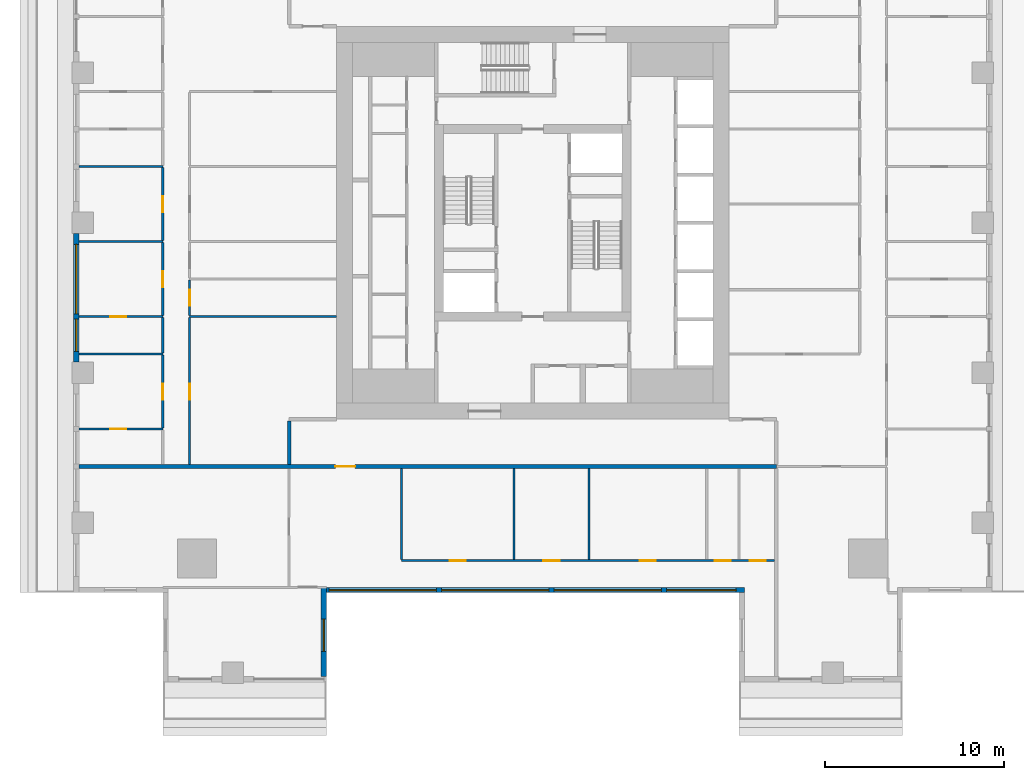
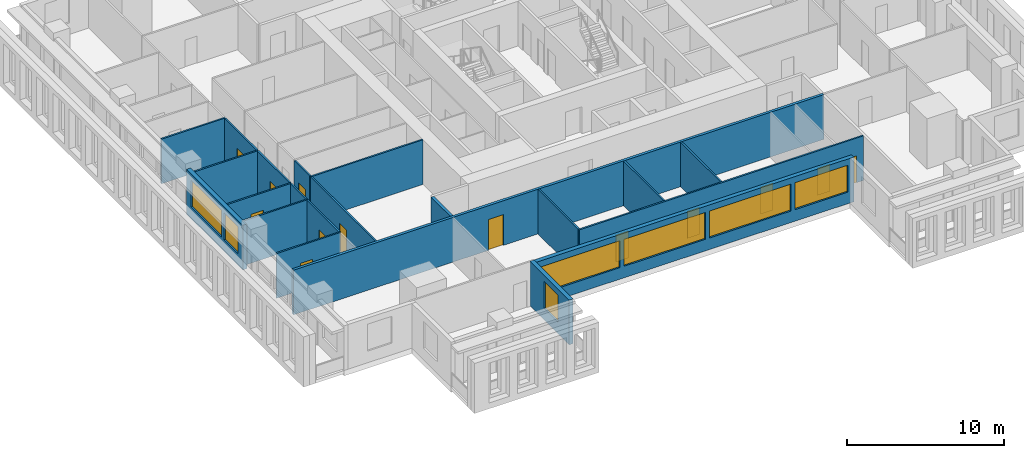
# One storey, part 2 of 14: 21 walls, 13 doors, 7 windows, 20 openings.
"""IFC4 building model written with IfcOpenShell, lengths in metres."""

from ifc_helpers import new_model, si_unit, direction, frame, frame_2d, origin, place, context, subcontext, project, spatial, rectangle, extrude, material, layer, layer_set, type_object, element, fill, save


model = new_model("IFC4")

# Units and contexts
model_context = context("Model", 3, precision=1e-05, world=origin(), true_north=direction((0.0, 1.0)))
body_context = subcontext(model_context, "Body", "Model", "MODEL_VIEW")
ifc_project = project(units=[si_unit("LENGTHUNIT", "METRE"), si_unit("AREAUNIT", "SQUARE_METRE"), si_unit("VOLUMEUNIT", "CUBIC_METRE"), si_unit("PLANEANGLEUNIT", "RADIAN"), si_unit("MASSUNIT", "GRAM", prefix="KILO")], contexts=[model_context])

# Site, building, storey
site_placement = place(None, origin())
site = spatial("IfcSite", under=ifc_project, at=site_placement, CompositionType="ELEMENT")
building_placement = place(site_placement, origin())
building = spatial("IfcBuilding", under=site, at=building_placement, Name="Khepri Terraces", CompositionType="ELEMENT")
storey_placement = place(building_placement, frame((0.0, 0.0, 275.699951171875)))
storey = spatial("IfcBuildingStorey", under=building, at=storey_placement, Name="L66", CompositionType="ELEMENT", Elevation=275.699951171875)

# Wall, opening, door
ifc_material_1 = material(Name="Fire-rated gypsum plasterboard partition, mineral wool")
ifc_layer_1 = layer(ifc_material_1, 0.199951171875, Name="Fire-rated gypsum plasterboard partition, mineral wool")
ifc_layer_set_1 = layer_set([ifc_layer_1], Name="Fire-rated gypsum plasterboard partition, mineral wool")
wall_type_1 = type_object("IfcWallType", Name="WL-CORR-200", PredefinedType="PARTITIONING", material=ifc_layer_set_1)
wall_1_placement = place(storey_placement, frame((-25.419921875, -13.64990234375, 0.0), z_axis=(0.0, 0.0, 1.0), x_axis=(1.0, 0.0, 0.0)))
wall_1 = element("IfcWall", 1, at=wall_1_placement, inside=storey, type_object=wall_type_1, Name="Partition P-015 L66", PredefinedType="PARTITIONING", context=body_context, shape_type="SweptSolid", body=[
    extrude(rectangle(XDim=39.06982421875, YDim=0.199951171875, at=frame_2d((19.534912109375, 0.0))), origin(), (0.0, 0.0, 1.0), 3.47998046875),
])
opening_1_placement = place(wall_1_placement, frame((14.3701171875, 0.0, 0.0)))
opening_1 = element("IfcOpeningElement", 2, at=opening_1_placement, cuts=wall_1, Name="Opening D1", PredefinedType="OPENING", context=body_context, shape_type="SweptSolid", body=[
    extrude(rectangle(XDim=1.10009765625, YDim=2.39990234375, at=frame_2d((0.550048828125, 1.199951171875))), frame((0.0, 0.10986328125, 0.0), z_axis=(0.0, -1.0, 0.0), x_axis=(1.0, 0.0, 0.0)), (0.0, 0.0, 1.0), 0.219970703125),
])
ifc_material_2 = material(Name="Solid-core timber door leaf, flat entrance door", Category="wood")
door_type_1 = type_object("IfcDoorType", Name="DR-ENT-1100", OperationType="NOTDEFINED", PredefinedType="DOOR", material=ifc_material_2)
door_1_placement = place(opening_1_placement, frame((1.10009765625, 0.0, 0.0), z_axis=(0.0, 0.0, 1.0), x_axis=(-1.0, 0.0, 0.0)))
door_1 = element("IfcDoor", 3, at=door_1_placement, inside=storey, type_object=door_type_1, Name="Flat A1 entrance door", OperationType="SINGLE_SWING_RIGHT", OverallHeight=2.39990234375, OverallWidth=1.10009765625, PredefinedType="DOOR", context=body_context, shape_type="SweptSolid", body=[
    extrude(rectangle(XDim=1.10009765625, YDim=2.39990234375, at=frame_2d((0.550048828125, 1.199951171875))), frame((0.0, 0.02490234375, 0.0), z_axis=(0.0, -1.0, 0.0), x_axis=(1.0, 0.0, 0.0)), (0.0, 0.0, 1.0), 0.050048828125),
])
fill(opening_1, door_1)

# Wall
wall_2_placement = place(storey_placement, frame((-13.64990234375, -13.550048828125, 0.0), z_axis=(0.0, 0.0, 1.0), x_axis=(0.0, 1.0, 0.0)))
element("IfcWall", 4, at=wall_2_placement, inside=storey, type_object=wall_type_1, Name="Partition P-020 L66", PredefinedType="PARTITIONING", context=body_context, shape_type="SweptSolid", body=[
    extrude(rectangle(XDim=2.449951171875, YDim=0.199951171875, at=frame_2d((1.22509765625, 0.0))), origin(), (0.0, 0.0, 1.0), 3.47998046875),
])

# Wall, openings, windows
ifc_material_3 = material(Name="Precast concrete C50/60 warm stone", Category="masonry")
ifc_layer_2 = layer(ifc_material_3, 0.300048828125, Name="Precast concrete C50/60 warm stone", Category="masonry")
ifc_layer_set_2 = layer_set([ifc_layer_2], Name="Precast concrete C50/60 warm stone")
wall_type_2 = type_object("IfcWallType", Name="WL-EXT-PRECAST-300", PredefinedType="STANDARD", material=ifc_layer_set_2)
wall_3_placement = place(storey_placement, frame((-25.570068359375, -0.60009765625, 0.0), z_axis=(0.0, 0.0, 1.0), x_axis=(0.0, -1.0, 0.0)))
wall_3 = element("IfcWall", 5, at=wall_3_placement, inside=storey, type_object=wall_type_2, Name="External wall L66 W", PredefinedType="STANDARD", context=body_context, shape_type="SweptSolid", body=[
    extrude(rectangle(XDim=7.199951171875, YDim=0.300048828125, at=frame_2d((3.60009765625, 0.0))), origin(), (0.0, 0.0, 1.0), 3.47998046875),
])
opening_2_placement = place(wall_3_placement, frame((0.60009765625, 0.0, 0.89990234375)))
opening_2 = element("IfcOpeningElement", 6, at=opening_2_placement, cuts=wall_3, Name="Opening W2", PredefinedType="OPENING", context=body_context, shape_type="SweptSolid", body=[
    extrude(rectangle(XDim=3.89990234375, YDim=2.10009765625, at=frame_2d((1.949951171875, 1.050048828125))), frame((0.0, 0.16015625, 0.0), z_axis=(0.0, -1.0, 0.0), x_axis=(1.0, 0.0, 0.0)), (0.0, 0.0, 1.0), 0.320068359375),
])
opening_3_placement = place(wall_3_placement, frame((4.800048828125, 0.0, 0.89990234375)))
opening_3 = element("IfcOpeningElement", 7, at=opening_3_placement, cuts=wall_3, Name="Opening W1", PredefinedType="OPENING", context=body_context, shape_type="SweptSolid", body=[
    extrude(rectangle(XDim=1.800048828125, YDim=2.10009765625, at=frame_2d((0.89990234375, 1.050048828125))), frame((0.0, 0.16015625, 0.0), z_axis=(0.0, -1.0, 0.0), x_axis=(1.0, 0.0, 0.0)), (0.0, 0.0, 1.0), 0.320068359375),
])
ifc_material_4 = material(Name="Clear glass", Category="glass")
window_type_1 = type_object("IfcWindowType", Name="WIN-RES-1800x2100", PartitioningType="SINGLE_PANEL", PredefinedType="WINDOW", material=ifc_material_4)
window_1_placement = place(opening_3_placement, origin())
window_1 = element("IfcWindow", 8, at=window_1_placement, inside=storey, type_object=window_type_1, Name="Window L66 W", OverallHeight=2.10009765625, OverallWidth=1.800048828125, PartitioningType="SINGLE_PANEL", PredefinedType="WINDOW", context=body_context, shape_type="SweptSolid", body=[
    extrude(rectangle(XDim=1.800048828125, YDim=2.10009765625, at=frame_2d((0.89990234375, 1.050048828125))), frame((0.0, 0.030029296875, 0.0), z_axis=(0.0, -1.0, 0.0), x_axis=(1.0, 0.0, 0.0)), (0.0, 0.0, 1.0), 0.06005859375),
])
fill(opening_3, window_1)
window_type_2 = type_object("IfcWindowType", Name="WIN-RES-3900x2100", PartitioningType="SINGLE_PANEL", PredefinedType="WINDOW", material=ifc_material_4)
window_2_placement = place(opening_2_placement, origin())
window_2 = element("IfcWindow", 9, at=window_2_placement, inside=storey, type_object=window_type_2, Name="Window L66 W", OverallHeight=2.10009765625, OverallWidth=3.89990234375, PartitioningType="SINGLE_PANEL", PredefinedType="WINDOW", context=body_context, shape_type="SweptSolid", body=[
    extrude(rectangle(XDim=3.89990234375, YDim=2.10009765625, at=frame_2d((1.949951171875, 1.050048828125))), frame((0.0, 0.030029296875, 0.0), z_axis=(0.0, -1.0, 0.0), x_axis=(1.0, 0.0, 0.0)), (0.0, 0.0, 1.0), 0.06005859375),
])
fill(opening_2, window_2)

# Wall, opening, window
wall_4_placement = place(storey_placement, frame((-11.699951171875, -25.419921875, 0.0), z_axis=(0.0, 0.0, 1.0), x_axis=(0.0, 1.0, 0.0)))
wall_4 = element("IfcWall", 10, at=wall_4_placement, inside=storey, type_object=wall_type_2, Name="External wall L66 E", PredefinedType="STANDARD", context=body_context, shape_type="SweptSolid", body=[
    extrude(rectangle(XDim=5.0, YDim=0.300048828125, at=frame_2d((2.5, 0.0))), origin(), (0.0, 0.0, 1.0), 3.47998046875),
])
opening_4_placement = place(wall_4_placement, frame((1.419921875, 0.0, 0.89990234375)))
opening_4 = element("IfcOpeningElement", 11, at=opening_4_placement, cuts=wall_4, Name="Opening W1", PredefinedType="OPENING", context=body_context, shape_type="SweptSolid", body=[
    extrude(rectangle(XDim=1.800048828125, YDim=2.10009765625, at=frame_2d((0.89990234375, 1.050048828125))), frame((0.0, 0.16015625, 0.0), z_axis=(0.0, -1.0, 0.0), x_axis=(1.0, 0.0, 0.0)), (0.0, 0.0, 1.0), 0.320068359375),
])
window_3_placement = place(opening_4_placement, origin())
window_3 = element("IfcWindow", 12, at=window_3_placement, inside=storey, type_object=window_type_1, Name="Window L66 E", OverallHeight=2.10009765625, OverallWidth=1.800048828125, PartitioningType="SINGLE_PANEL", PredefinedType="WINDOW", context=body_context, shape_type="SweptSolid", body=[
    extrude(rectangle(XDim=1.800048828125, YDim=2.10009765625, at=frame_2d((0.89990234375, 1.050048828125))), frame((0.0, 0.030029296875, 0.0), z_axis=(0.0, -1.0, 0.0), x_axis=(1.0, 0.0, 0.0)), (0.0, 0.0, 1.0), 0.06005859375),
])
fill(opening_4, window_3)

# Wall, openings, windows
wall_5_placement = place(storey_placement, frame((-11.550048828125, -20.570068359375, 0.0), z_axis=(0.0, 0.0, 1.0), x_axis=(1.0, 0.0, 0.0)))
wall_5 = element("IfcWall", 13, at=wall_5_placement, inside=storey, type_object=wall_type_2, Name="External wall L66 S", PredefinedType="STANDARD", context=body_context, shape_type="SweptSolid", body=[
    extrude(rectangle(XDim=23.400146484375, YDim=0.300048828125, at=frame_2d((11.7001953125, 0.0))), origin(), (0.0, 0.0, 1.0), 3.47998046875),
])
opening_5_placement = place(wall_5_placement, frame((0.14990234375, 0.0, 0.89990234375)))
opening_5 = element("IfcOpeningElement", 14, at=opening_5_placement, cuts=wall_5, Name="Opening W3", PredefinedType="OPENING", context=body_context, shape_type="SweptSolid", body=[
    extrude(rectangle(XDim=6.0, YDim=2.10009765625, at=frame_2d((3.0, 1.050048828125))), frame((0.0, 0.16015625, 0.0), z_axis=(0.0, -1.0, 0.0), x_axis=(1.0, 0.0, 0.0)), (0.0, 0.0, 1.0), 0.320068359375),
])
opening_6_placement = place(wall_5_placement, frame((6.449951171875, 0.0, 0.89990234375)))
opening_6 = element("IfcOpeningElement", 15, at=opening_6_placement, cuts=wall_5, Name="Opening W3", PredefinedType="OPENING", context=body_context, shape_type="SweptSolid", body=[
    extrude(rectangle(XDim=6.0, YDim=2.10009765625, at=frame_2d((3.0, 1.050048828125))), frame((0.0, 0.16015625, 0.0), z_axis=(0.0, -1.0, 0.0), x_axis=(1.0, 0.0, 0.0)), (0.0, 0.0, 1.0), 0.320068359375),
])
opening_7_placement = place(wall_5_placement, frame((12.75, 0.0, 0.89990234375)))
opening_7 = element("IfcOpeningElement", 16, at=opening_7_placement, cuts=wall_5, Name="Opening W3", PredefinedType="OPENING", context=body_context, shape_type="SweptSolid", body=[
    extrude(rectangle(XDim=6.0, YDim=2.10009765625, at=frame_2d((3.0, 1.050048828125))), frame((0.0, 0.16015625, 0.0), z_axis=(0.0, -1.0, 0.0), x_axis=(1.0, 0.0, 0.0)), (0.0, 0.0, 1.0), 0.320068359375),
])
opening_8_placement = place(wall_5_placement, frame((19.050048828125, 0.0, 0.89990234375)))
opening_8 = element("IfcOpeningElement", 17, at=opening_8_placement, cuts=wall_5, Name="Opening W2", PredefinedType="OPENING", context=body_context, shape_type="SweptSolid", body=[
    extrude(rectangle(XDim=3.89990234375, YDim=2.10009765625, at=frame_2d((1.949951171875, 1.050048828125))), frame((0.0, 0.16015625, 0.0), z_axis=(0.0, -1.0, 0.0), x_axis=(1.0, 0.0, 0.0)), (0.0, 0.0, 1.0), 0.320068359375),
])
window_4_placement = place(opening_8_placement, origin())
window_4 = element("IfcWindow", 18, at=window_4_placement, inside=storey, type_object=window_type_2, Name="Window L66 S", OverallHeight=2.10009765625, OverallWidth=3.89990234375, PartitioningType="SINGLE_PANEL", PredefinedType="WINDOW", context=body_context, shape_type="SweptSolid", body=[
    extrude(rectangle(XDim=3.89990234375, YDim=2.10009765625, at=frame_2d((1.949951171875, 1.050048828125))), frame((0.0, 0.030029296875, 0.0), z_axis=(0.0, -1.0, 0.0), x_axis=(1.0, 0.0, 0.0)), (0.0, 0.0, 1.0), 0.06005859375),
])
fill(opening_8, window_4)
window_type_3 = type_object("IfcWindowType", Name="WIN-RES-6000x2100", PartitioningType="SINGLE_PANEL", PredefinedType="WINDOW", material=ifc_material_4)
window_5_placement = place(opening_5_placement, origin())
window_5 = element("IfcWindow", 19, at=window_5_placement, inside=storey, type_object=window_type_3, Name="Window L66 S", OverallHeight=2.10009765625, OverallWidth=6.0, PartitioningType="SINGLE_PANEL", PredefinedType="WINDOW", context=body_context, shape_type="SweptSolid", body=[
    extrude(rectangle(XDim=6.0, YDim=2.10009765625, at=frame_2d((3.0, 1.050048828125))), frame((0.0, 0.030029296875, 0.0), z_axis=(0.0, -1.0, 0.0), x_axis=(1.0, 0.0, 0.0)), (0.0, 0.0, 1.0), 0.06005859375),
])
fill(opening_5, window_5)
window_6_placement = place(opening_6_placement, origin())
window_6 = element("IfcWindow", 20, at=window_6_placement, inside=storey, type_object=window_type_3, Name="Window L66 S", OverallHeight=2.10009765625, OverallWidth=6.0, PartitioningType="SINGLE_PANEL", PredefinedType="WINDOW", context=body_context, shape_type="SweptSolid", body=[
    extrude(rectangle(XDim=6.0, YDim=2.10009765625, at=frame_2d((3.0, 1.050048828125))), frame((0.0, 0.030029296875, 0.0), z_axis=(0.0, -1.0, 0.0), x_axis=(1.0, 0.0, 0.0)), (0.0, 0.0, 1.0), 0.06005859375),
])
fill(opening_6, window_6)
window_7_placement = place(opening_7_placement, origin())
window_7 = element("IfcWindow", 21, at=window_7_placement, inside=storey, type_object=window_type_3, Name="Window L66 S", OverallHeight=2.10009765625, OverallWidth=6.0, PartitioningType="SINGLE_PANEL", PredefinedType="WINDOW", context=body_context, shape_type="SweptSolid", body=[
    extrude(rectangle(XDim=6.0, YDim=2.10009765625, at=frame_2d((3.0, 1.050048828125))), frame((0.0, 0.030029296875, 0.0), z_axis=(0.0, -1.0, 0.0), x_axis=(1.0, 0.0, 0.0)), (0.0, 0.0, 1.0), 0.06005859375),
])
fill(opening_7, window_7)

# Wall, openings, doors
ifc_material_5 = material(Name="Gypsum plasterboard partition")
ifc_layer_3 = layer(ifc_material_5, 0.1201171875, Name="Gypsum plasterboard partition")
ifc_layer_set_3 = layer_set([ifc_layer_3], Name="Gypsum plasterboard partition")
wall_type_3 = type_object("IfcWallType", Name="WL-PART-120", PredefinedType="PARTITIONING", material=ifc_layer_set_3)
wall_6_placement = place(storey_placement, frame((-7.35009765625, -18.919921875, 0.0), z_axis=(0.0, 0.0, 1.0), x_axis=(1.0, 0.0, 0.0)))
wall_6 = element("IfcWall", 22, at=wall_6_placement, inside=storey, type_object=wall_type_3, Name="Partition P-008 L66", PredefinedType="PARTITIONING", context=body_context, shape_type="SweptSolid", body=[
    extrude(rectangle(XDim=20.900146484375, YDim=0.1201171875, at=frame_2d((10.4501953125, 0.0))), origin(), (0.0, 0.0, 1.0), 3.47998046875),
])
opening_9_placement = place(wall_6_placement, frame((2.699951171875, 0.0, 0.0)))
opening_9 = element("IfcOpeningElement", 23, at=opening_9_placement, cuts=wall_6, Name="Opening D3", PredefinedType="OPENING", context=body_context, shape_type="SweptSolid", body=[
    extrude(rectangle(XDim=0.89990234375, YDim=2.10009765625, at=frame_2d((0.449951171875, 1.050048828125))), frame((0.0, 0.070068359375, 0.0), z_axis=(0.0, -1.0, 0.0), x_axis=(1.0, 0.0, 0.0)), (0.0, 0.0, 1.0), 0.14013671875),
])
opening_10_placement = place(wall_6_placement, frame((7.949951171875, 0.0, 0.0)))
opening_10 = element("IfcOpeningElement", 24, at=opening_10_placement, cuts=wall_6, Name="Opening D3", PredefinedType="OPENING", context=body_context, shape_type="SweptSolid", body=[
    extrude(rectangle(XDim=0.89990234375, YDim=2.10009765625, at=frame_2d((0.449951171875, 1.050048828125))), frame((0.0, 0.070068359375, 0.0), z_axis=(0.0, -1.0, 0.0), x_axis=(1.0, 0.0, 0.0)), (0.0, 0.0, 1.0), 0.14013671875),
])
opening_11_placement = place(wall_6_placement, frame((13.35009765625, 0.0, 0.0)))
opening_11 = element("IfcOpeningElement", 25, at=opening_11_placement, cuts=wall_6, Name="Opening D3", PredefinedType="OPENING", context=body_context, shape_type="SweptSolid", body=[
    extrude(rectangle(XDim=0.89990234375, YDim=2.10009765625, at=frame_2d((0.449951171875, 1.050048828125))), frame((0.0, 0.070068359375, 0.0), z_axis=(0.0, -1.0, 0.0), x_axis=(1.0, 0.0, 0.0)), (0.0, 0.0, 1.0), 0.14013671875),
])
opening_12_placement = place(wall_6_placement, frame((17.550048828125, 0.0, 0.0)))
opening_12 = element("IfcOpeningElement", 26, at=opening_12_placement, cuts=wall_6, Name="Opening D4", PredefinedType="OPENING", context=body_context, shape_type="SweptSolid", body=[
    extrude(rectangle(XDim=0.89990234375, YDim=2.10009765625, at=frame_2d((0.449951171875, 1.050048828125))), frame((0.0, 0.070068359375, 0.0), z_axis=(0.0, -1.0, 0.0), x_axis=(1.0, 0.0, 0.0)), (0.0, 0.0, 1.0), 0.14013671875),
])
opening_13_placement = place(wall_6_placement, frame((19.5, 0.0, 0.0)))
opening_13 = element("IfcOpeningElement", 27, at=opening_13_placement, cuts=wall_6, Name="Opening D4", PredefinedType="OPENING", context=body_context, shape_type="SweptSolid", body=[
    extrude(rectangle(XDim=0.89990234375, YDim=2.10009765625, at=frame_2d((0.449951171875, 1.050048828125))), frame((0.0, 0.070068359375, 0.0), z_axis=(0.0, -1.0, 0.0), x_axis=(1.0, 0.0, 0.0)), (0.0, 0.0, 1.0), 0.14013671875),
])
ifc_material_6 = material(Name="Timber door leaf", Category="wood")
door_type_2 = type_object("IfcDoorType", Name="DR-INT-900", OperationType="NOTDEFINED", PredefinedType="DOOR", material=ifc_material_6)
door_2_placement = place(opening_9_placement, origin())
door_2 = element("IfcDoor", 28, at=door_2_placement, inside=storey, type_object=door_type_2, Name="Door Kitchen", OperationType="SINGLE_SWING_LEFT", OverallHeight=2.10009765625, OverallWidth=0.89990234375, PredefinedType="DOOR", context=body_context, shape_type="SweptSolid", body=[
    extrude(rectangle(XDim=0.89990234375, YDim=2.10009765625, at=frame_2d((0.449951171875, 1.050048828125))), frame((0.0, 0.02490234375, 0.0), z_axis=(0.0, -1.0, 0.0), x_axis=(1.0, 0.0, 0.0)), (0.0, 0.0, 1.0), 0.050048828125),
])
fill(opening_9, door_2)
door_3_placement = place(opening_10_placement, origin())
door_3 = element("IfcDoor", 29, at=door_3_placement, inside=storey, type_object=door_type_2, Name="Door Service Kitchen", OperationType="SINGLE_SWING_LEFT", OverallHeight=2.10009765625, OverallWidth=0.89990234375, PredefinedType="DOOR", context=body_context, shape_type="SweptSolid", body=[
    extrude(rectangle(XDim=0.89990234375, YDim=2.10009765625, at=frame_2d((0.449951171875, 1.050048828125))), frame((0.0, 0.02490234375, 0.0), z_axis=(0.0, -1.0, 0.0), x_axis=(1.0, 0.0, 0.0)), (0.0, 0.0, 1.0), 0.050048828125),
])
fill(opening_10, door_3)
door_4_placement = place(opening_11_placement, origin())
door_4 = element("IfcDoor", 30, at=door_4_placement, inside=storey, type_object=door_type_2, Name="Door Staff Bedroom", OperationType="SINGLE_SWING_RIGHT", OverallHeight=2.10009765625, OverallWidth=0.89990234375, PredefinedType="DOOR", context=body_context, shape_type="SweptSolid", body=[
    extrude(rectangle(XDim=0.89990234375, YDim=2.10009765625, at=frame_2d((0.449951171875, 1.050048828125))), frame((0.0, 0.02490234375, 0.0), z_axis=(0.0, -1.0, 0.0), x_axis=(1.0, 0.0, 0.0)), (0.0, 0.0, 1.0), 0.050048828125),
])
fill(opening_11, door_4)
ifc_material_7 = material(Name="Timber door leaf, moisture resistant", Category="wood")
door_type_3 = type_object("IfcDoorType", Name="DR-WET-900", OperationType="NOTDEFINED", PredefinedType="DOOR", material=ifc_material_7)
door_5_placement = place(opening_12_placement, origin())
door_5 = element("IfcDoor", 31, at=door_5_placement, inside=storey, type_object=door_type_3, Name="Door Powder Room", OperationType="SINGLE_SWING_RIGHT", OverallHeight=2.10009765625, OverallWidth=0.89990234375, PredefinedType="DOOR", context=body_context, shape_type="SweptSolid", body=[
    extrude(rectangle(XDim=0.89990234375, YDim=2.10009765625, at=frame_2d((0.449951171875, 1.050048828125))), frame((0.0, 0.02490234375, 0.0), z_axis=(0.0, -1.0, 0.0), x_axis=(1.0, 0.0, 0.0)), (0.0, 0.0, 1.0), 0.050048828125),
])
fill(opening_12, door_5)
door_6_placement = place(opening_13_placement, origin())
door_6 = element("IfcDoor", 32, at=door_6_placement, inside=storey, type_object=door_type_3, Name="Door Guest Bathroom", OperationType="SINGLE_SWING_RIGHT", OverallHeight=2.10009765625, OverallWidth=0.89990234375, PredefinedType="DOOR", context=body_context, shape_type="SweptSolid", body=[
    extrude(rectangle(XDim=0.89990234375, YDim=2.10009765625, at=frame_2d((0.449951171875, 1.050048828125))), frame((0.0, 0.02490234375, 0.0), z_axis=(0.0, -1.0, 0.0), x_axis=(1.0, 0.0, 0.0)), (0.0, 0.0, 1.0), 0.050048828125),
])
fill(opening_13, door_6)

# Walls
for number, where, z_axis, x_axis, name in (
    (33, (-7.35009765625, -18.860107421875, 0.0), (0.0, 0.0, 1.0), (0.0, 1.0, 0.0), "Partition P-009 L66"),
    (34, (-1.050048828125, -18.860107421875, 0.0), (0.0, 0.0, 1.0), (0.0, 1.0, 0.0), "Partition P-010 L66"),
    (35, (3.14990234375, -18.860107421875, 0.0), (0.0, 0.0, 1.0), (0.0, 1.0, 0.0), "Partition P-011 L66"),
):
    element("IfcWall", number, at=place(storey_placement, frame(where, z_axis=z_axis, x_axis=x_axis)), inside=storey, type_object=wall_type_3, Name=name, PredefinedType="PARTITIONING", context=body_context, shape_type="SweptSolid", body=[
        extrude(rectangle(XDim=5.110107421875, YDim=0.1201171875, at=frame_2d((2.55517578125, 0.0))), origin(), (0.0, 0.0, 1.0), 3.47998046875),
    ])

# Wall, opening, door
wall_7_placement = place(storey_placement, frame((-19.219970703125, -13.550048828125, 0.0), z_axis=(0.0, 0.0, 1.0), x_axis=(0.0, 1.0, 0.0)))
wall_7 = element("IfcWall", 36, at=wall_7_placement, inside=storey, type_object=wall_type_3, Name="Partition P-019 L66", PredefinedType="PARTITIONING", context=body_context, shape_type="SweptSolid", body=[
    extrude(rectangle(XDim=8.239990234375, YDim=0.1201171875, at=frame_2d((4.1201171875, 0.0))), origin(), (0.0, 0.0, 1.0), 3.47998046875),
])
opening_14_placement = place(wall_7_placement, frame((3.64990234375, 0.0, 0.0)))
opening_14 = element("IfcOpeningElement", 37, at=opening_14_placement, cuts=wall_7, Name="Opening D3", PredefinedType="OPENING", context=body_context, shape_type="SweptSolid", body=[
    extrude(rectangle(XDim=0.89990234375, YDim=2.10009765625, at=frame_2d((0.449951171875, 1.050048828125))), frame((0.0, 0.070068359375, 0.0), z_axis=(0.0, -1.0, 0.0), x_axis=(1.0, 0.0, 0.0)), (0.0, 0.0, 1.0), 0.14013671875),
])
door_7_placement = place(opening_14_placement, frame((0.89990234375, 0.0, 0.0), z_axis=(0.0, 0.0, 1.0), x_axis=(-1.0, 0.0, 0.0)))
door_7 = element("IfcDoor", 38, at=door_7_placement, inside=storey, type_object=door_type_2, Name="Door Library", OperationType="SINGLE_SWING_RIGHT", OverallHeight=2.10009765625, OverallWidth=0.89990234375, PredefinedType="DOOR", context=body_context, shape_type="SweptSolid", body=[
    extrude(rectangle(XDim=0.89990234375, YDim=2.10009765625, at=frame_2d((0.449951171875, 1.050048828125))), frame((0.0, 0.02490234375, 0.0), z_axis=(0.0, -1.0, 0.0), x_axis=(1.0, 0.0, 0.0)), (0.0, 0.0, 1.0), 0.050048828125),
])
fill(opening_14, door_7)

wall_8_placement = place(storey_placement, frame((-25.419921875, -11.550048828125, 0.0), z_axis=(0.0, 0.0, 1.0), x_axis=(1.0, 0.0, 0.0)))
wall_8 = element("IfcWall", 39, at=wall_8_placement, inside=storey, type_object=wall_type_3, Name="Partition P-022 L66", PredefinedType="PARTITIONING", context=body_context, shape_type="SweptSolid", body=[
    extrude(rectangle(XDim=4.699951171875, YDim=0.1201171875, at=frame_2d((2.35009765625, 0.0))), origin(), (0.0, 0.0, 1.0), 3.47998046875),
])
opening_15_placement = place(wall_8_placement, frame((1.75, 0.0, 0.0)))
opening_15 = element("IfcOpeningElement", 40, at=opening_15_placement, cuts=wall_8, Name="Opening D4", PredefinedType="OPENING", context=body_context, shape_type="SweptSolid", body=[
    extrude(rectangle(XDim=0.89990234375, YDim=2.10009765625, at=frame_2d((0.449951171875, 1.050048828125))), frame((0.0, 0.070068359375, 0.0), z_axis=(0.0, -1.0, 0.0), x_axis=(1.0, 0.0, 0.0)), (0.0, 0.0, 1.0), 0.14013671875),
])
door_8_placement = place(opening_15_placement, frame((0.89990234375, 0.0, 0.0), z_axis=(0.0, 0.0, 1.0), x_axis=(-1.0, 0.0, 0.0)))
door_8 = element("IfcDoor", 41, at=door_8_placement, inside=storey, type_object=door_type_3, Name="Door Bathroom", OperationType="SINGLE_SWING_RIGHT", OverallHeight=2.10009765625, OverallWidth=0.89990234375, PredefinedType="DOOR", context=body_context, shape_type="SweptSolid", body=[
    extrude(rectangle(XDim=0.89990234375, YDim=2.10009765625, at=frame_2d((0.449951171875, 1.050048828125))), frame((0.0, 0.02490234375, 0.0), z_axis=(0.0, -1.0, 0.0), x_axis=(1.0, 0.0, 0.0)), (0.0, 0.0, 1.0), 0.050048828125),
])
fill(opening_15, door_8)

wall_9_placement = place(storey_placement, frame((-20.719970703125, -11.489990234375, 0.0), z_axis=(0.0, 0.0, 1.0), x_axis=(0.0, 1.0, 0.0)))
wall_9 = element("IfcWall", 42, at=wall_9_placement, inside=storey, type_object=wall_type_3, Name="Partition P-024 L66", PredefinedType="PARTITIONING", context=body_context, shape_type="SweptSolid", body=[
    extrude(rectangle(XDim=4.080078125, YDim=0.1201171875, at=frame_2d((2.0400390625, 0.0))), origin(), (0.0, 0.0, 1.0), 3.47998046875),
])
opening_16_placement = place(wall_9_placement, frame((1.590087890625, 0.0, 0.0)))
opening_16 = element("IfcOpeningElement", 43, at=opening_16_placement, cuts=wall_9, Name="Opening D3", PredefinedType="OPENING", context=body_context, shape_type="SweptSolid", body=[
    extrude(rectangle(XDim=0.89990234375, YDim=2.10009765625, at=frame_2d((0.449951171875, 1.050048828125))), frame((0.0, 0.070068359375, 0.0), z_axis=(0.0, -1.0, 0.0), x_axis=(1.0, 0.0, 0.0)), (0.0, 0.0, 1.0), 0.14013671875),
])
door_9_placement = place(opening_16_placement, origin())
door_9 = element("IfcDoor", 44, at=door_9_placement, inside=storey, type_object=door_type_2, Name="Door Bedroom", OperationType="SINGLE_SWING_RIGHT", OverallHeight=2.10009765625, OverallWidth=0.89990234375, PredefinedType="DOOR", context=body_context, shape_type="SweptSolid", body=[
    extrude(rectangle(XDim=0.89990234375, YDim=2.10009765625, at=frame_2d((0.449951171875, 1.050048828125))), frame((0.0, 0.02490234375, 0.0), z_axis=(0.0, -1.0, 0.0), x_axis=(1.0, 0.0, 0.0)), (0.0, 0.0, 1.0), 0.050048828125),
])
fill(opening_16, door_9)

# Walls
wall_10_placement = place(storey_placement, frame((-25.419921875, -7.35009765625, 0.0), z_axis=(0.0, 0.0, 1.0), x_axis=(1.0, 0.0, 0.0)))
element("IfcWall", 45, at=wall_10_placement, inside=storey, type_object=wall_type_3, Name="Partition P-028 L66", PredefinedType="PARTITIONING", context=body_context, shape_type="SweptSolid", body=[
    extrude(rectangle(XDim=4.699951171875, YDim=0.1201171875, at=frame_2d((2.35009765625, 0.0))), origin(), (0.0, 0.0, 1.0), 3.47998046875),
])
wall_11_placement = place(storey_placement, frame((-20.719970703125, -7.2900390625, 0.0), z_axis=(0.0, 0.0, 1.0), x_axis=(0.0, 1.0, 0.0)))
element("IfcWall", 46, at=wall_11_placement, inside=storey, type_object=wall_type_3, Name="Partition P-030 L66", PredefinedType="PARTITIONING", context=body_context, shape_type="SweptSolid", body=[
    extrude(rectangle(XDim=1.97998046875, YDim=0.1201171875, at=frame_2d((0.989990234375, 0.0))), origin(), (0.0, 0.0, 1.0), 3.47998046875),
])

# Wall, opening, door
wall_12_placement = place(storey_placement, frame((-25.419921875, -5.25, 0.0), z_axis=(0.0, 0.0, 1.0), x_axis=(1.0, 0.0, 0.0)))
wall_12 = element("IfcWall", 47, at=wall_12_placement, inside=storey, type_object=wall_type_3, Name="Partition P-032 L66", PredefinedType="PARTITIONING", context=body_context, shape_type="SweptSolid", body=[
    extrude(rectangle(XDim=4.699951171875, YDim=0.1201171875, at=frame_2d((2.35009765625, 0.0))), origin(), (0.0, 0.0, 1.0), 3.47998046875),
])
opening_17_placement = place(wall_12_placement, frame((1.75, 0.0, 0.0)))
opening_17 = element("IfcOpeningElement", 48, at=opening_17_placement, cuts=wall_12, Name="Opening D4", PredefinedType="OPENING", context=body_context, shape_type="SweptSolid", body=[
    extrude(rectangle(XDim=0.89990234375, YDim=2.10009765625, at=frame_2d((0.449951171875, 1.050048828125))), frame((0.0, 0.070068359375, 0.0), z_axis=(0.0, -1.0, 0.0), x_axis=(1.0, 0.0, 0.0)), (0.0, 0.0, 1.0), 0.14013671875),
])
door_10_placement = place(opening_17_placement, frame((0.89990234375, 0.0, 0.0), z_axis=(0.0, 0.0, 1.0), x_axis=(-1.0, 0.0, 0.0)))
door_10 = element("IfcDoor", 49, at=door_10_placement, inside=storey, type_object=door_type_3, Name="Door Bathroom", OperationType="SINGLE_SWING_RIGHT", OverallHeight=2.10009765625, OverallWidth=0.89990234375, PredefinedType="DOOR", context=body_context, shape_type="SweptSolid", body=[
    extrude(rectangle(XDim=0.89990234375, YDim=2.10009765625, at=frame_2d((0.449951171875, 1.050048828125))), frame((0.0, 0.02490234375, 0.0), z_axis=(0.0, -1.0, 0.0), x_axis=(1.0, 0.0, 0.0)), (0.0, 0.0, 1.0), 0.050048828125),
])
fill(opening_17, door_10)

# Wall
wall_13_placement = place(storey_placement, frame((-19.219970703125, -5.25, 0.0), z_axis=(0.0, 0.0, 1.0), x_axis=(1.0, 0.0, 0.0)))
element("IfcWall", 50, at=wall_13_placement, inside=storey, type_object=wall_type_3, Name="Partition P-033 L66", PredefinedType="PARTITIONING", context=body_context, shape_type="SweptSolid", body=[
    extrude(rectangle(XDim=8.219970703125, YDim=0.1201171875, at=frame_2d((4.10986328125, 0.0))), origin(), (0.0, 0.0, 1.0), 3.47998046875),
])

# Wall, opening, door
wall_14_placement = place(storey_placement, frame((-20.719970703125, -5.18994140625, 0.0), z_axis=(0.0, 0.0, 1.0), x_axis=(0.0, 1.0, 0.0)))
wall_14 = element("IfcWall", 51, at=wall_14_placement, inside=storey, type_object=wall_type_3, Name="Partition P-035 L66", PredefinedType="PARTITIONING", context=body_context, shape_type="SweptSolid", body=[
    extrude(rectangle(XDim=4.079833984375, YDim=0.1201171875, at=frame_2d((2.0400390625, 0.0))), origin(), (0.0, 0.0, 1.0), 3.47998046875),
])
opening_18_placement = place(wall_14_placement, frame((1.590087890625, 0.0, 0.0)))
opening_18 = element("IfcOpeningElement", 52, at=opening_18_placement, cuts=wall_14, Name="Opening D3", PredefinedType="OPENING", context=body_context, shape_type="SweptSolid", body=[
    extrude(rectangle(XDim=0.89990234375, YDim=2.10009765625, at=frame_2d((0.449951171875, 1.050048828125))), frame((0.0, 0.070068359375, 0.0), z_axis=(0.0, -1.0, 0.0), x_axis=(1.0, 0.0, 0.0)), (0.0, 0.0, 1.0), 0.14013671875),
])
door_11_placement = place(opening_18_placement, origin())
door_11 = element("IfcDoor", 53, at=door_11_placement, inside=storey, type_object=door_type_2, Name="Door Bedroom", OperationType="SINGLE_SWING_RIGHT", OverallHeight=2.10009765625, OverallWidth=0.89990234375, PredefinedType="DOOR", context=body_context, shape_type="SweptSolid", body=[
    extrude(rectangle(XDim=0.89990234375, YDim=2.10009765625, at=frame_2d((0.449951171875, 1.050048828125))), frame((0.0, 0.02490234375, 0.0), z_axis=(0.0, -1.0, 0.0), x_axis=(1.0, 0.0, 0.0)), (0.0, 0.0, 1.0), 0.050048828125),
])
fill(opening_18, door_11)

wall_15_placement = place(storey_placement, frame((-19.219970703125, -5.18994140625, 0.0), z_axis=(0.0, 0.0, 1.0), x_axis=(0.0, 1.0, 0.0)))
wall_15 = element("IfcWall", 54, at=wall_15_placement, inside=storey, type_object=wall_type_3, Name="Partition P-036 L66", PredefinedType="PARTITIONING", context=body_context, shape_type="SweptSolid", body=[
    extrude(rectangle(XDim=1.97998046875, YDim=0.1201171875, at=frame_2d((0.989990234375, 0.0))), origin(), (0.0, 0.0, 1.0), 3.47998046875),
])
opening_19_placement = place(wall_15_placement, frame((0.5400390625, 0.0, 0.0)))
opening_19 = element("IfcOpeningElement", 55, at=opening_19_placement, cuts=wall_15, Name="Opening D4", PredefinedType="OPENING", context=body_context, shape_type="SweptSolid", body=[
    extrude(rectangle(XDim=0.89990234375, YDim=2.10009765625, at=frame_2d((0.449951171875, 1.050048828125))), frame((0.0, 0.070068359375, 0.0), z_axis=(0.0, -1.0, 0.0), x_axis=(1.0, 0.0, 0.0)), (0.0, 0.0, 1.0), 0.14013671875),
])
door_12_placement = place(opening_19_placement, frame((0.89990234375, 0.0, 0.0), z_axis=(0.0, 0.0, 1.0), x_axis=(-1.0, 0.0, 0.0)))
door_12 = element("IfcDoor", 56, at=door_12_placement, inside=storey, type_object=door_type_3, Name="Door Guest Bathroom", OperationType="SINGLE_SWING_LEFT", OverallHeight=2.10009765625, OverallWidth=0.89990234375, PredefinedType="DOOR", context=body_context, shape_type="SweptSolid", body=[
    extrude(rectangle(XDim=0.89990234375, YDim=2.10009765625, at=frame_2d((0.449951171875, 1.050048828125))), frame((0.0, 0.02490234375, 0.0), z_axis=(0.0, -1.0, 0.0), x_axis=(1.0, 0.0, 0.0)), (0.0, 0.0, 1.0), 0.050048828125),
])
fill(opening_19, door_12)

# Wall
wall_16_placement = place(storey_placement, frame((-25.419921875, -1.050048828125, 0.0), z_axis=(0.0, 0.0, 1.0), x_axis=(1.0, 0.0, 0.0)))
element("IfcWall", 57, at=wall_16_placement, inside=storey, type_object=wall_type_3, Name="Partition P-044 L66", PredefinedType="PARTITIONING", context=body_context, shape_type="SweptSolid", body=[
    extrude(rectangle(XDim=4.699951171875, YDim=0.1201171875, at=frame_2d((2.35009765625, 0.0))), origin(), (0.0, 0.0, 1.0), 3.47998046875),
])

# Wall, opening, door
wall_17_placement = place(storey_placement, frame((-20.719970703125, -0.989990234375, 0.0), z_axis=(0.0, 0.0, 1.0), x_axis=(0.0, 1.0, 0.0)))
wall_17 = element("IfcWall", 58, at=wall_17_placement, inside=storey, type_object=wall_type_3, Name="Partition P-047 L66", PredefinedType="PARTITIONING", context=body_context, shape_type="SweptSolid", body=[
    extrude(rectangle(XDim=4.080078125, YDim=0.1201171875, at=frame_2d((2.0400390625, 0.0))), origin(), (0.0, 0.0, 1.0), 3.47998046875),
])
opening_20_placement = place(wall_17_placement, frame((1.590087890625, 0.0, 0.0)))
opening_20 = element("IfcOpeningElement", 59, at=opening_20_placement, cuts=wall_17, Name="Opening D3", PredefinedType="OPENING", context=body_context, shape_type="SweptSolid", body=[
    extrude(rectangle(XDim=0.89990234375, YDim=2.10009765625, at=frame_2d((0.449951171875, 1.050048828125))), frame((0.0, 0.070068359375, 0.0), z_axis=(0.0, -1.0, 0.0), x_axis=(1.0, 0.0, 0.0)), (0.0, 0.0, 1.0), 0.14013671875),
])
door_13_placement = place(opening_20_placement, origin())
door_13 = element("IfcDoor", 60, at=door_13_placement, inside=storey, type_object=door_type_2, Name="Door Home Office", OperationType="SINGLE_SWING_RIGHT", OverallHeight=2.10009765625, OverallWidth=0.89990234375, PredefinedType="DOOR", context=body_context, shape_type="SweptSolid", body=[
    extrude(rectangle(XDim=0.89990234375, YDim=2.10009765625, at=frame_2d((0.449951171875, 1.050048828125))), frame((0.0, 0.02490234375, 0.0), z_axis=(0.0, -1.0, 0.0), x_axis=(1.0, 0.0, 0.0)), (0.0, 0.0, 1.0), 0.050048828125),
])
fill(opening_20, door_13)

# Wall
wall_18_placement = place(storey_placement, frame((-25.419921875, 3.14990234375, 0.0), z_axis=(0.0, 0.0, 1.0), x_axis=(1.0, 0.0, 0.0)))
element("IfcWall", 61, at=wall_18_placement, inside=storey, type_object=wall_type_3, Name="Partition P-052 L66", PredefinedType="PARTITIONING", context=body_context, shape_type="SweptSolid", body=[
    extrude(rectangle(XDim=4.699951171875, YDim=0.1201171875, at=frame_2d((2.35009765625, 0.0))), origin(), (0.0, 0.0, 1.0), 3.47998046875),
])

save(model, "model.ifc")
